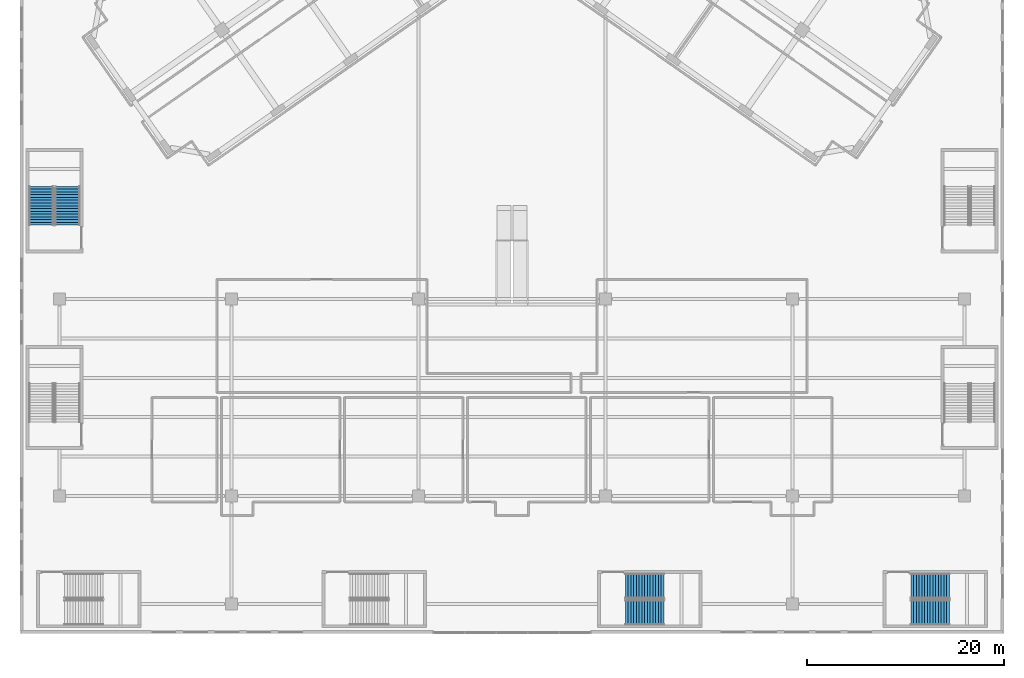
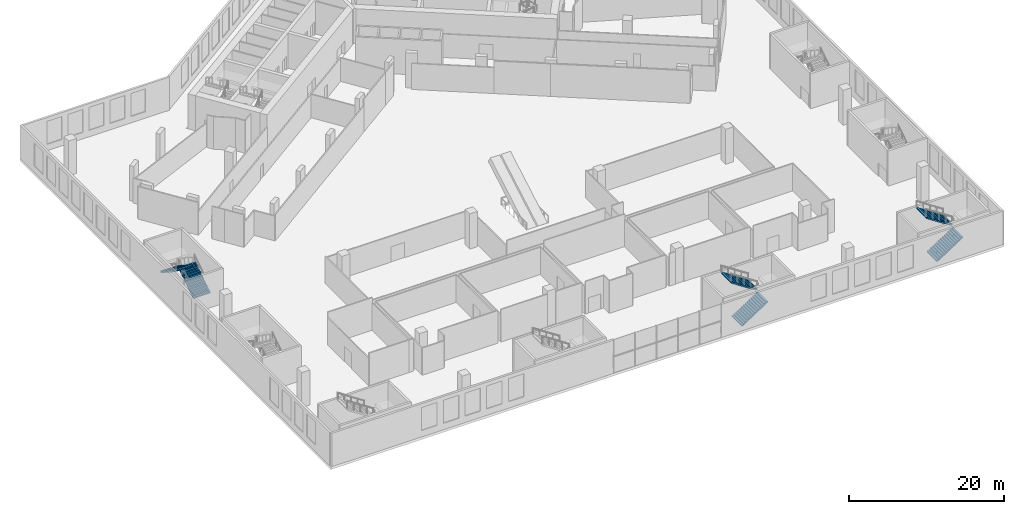
# One storey, part 14 of 26: 6 stair flights, 3 elements without a shape of their own.
"""IFC4 building model written with IfcOpenShell, lengths in metres."""

from ifc_helpers import new_model, si_unit, direction, frame, origin, place, context, subcontext, project, spatial, polyline, outline, extrude, material, type_object, element, aggregate, save


model = new_model("IFC4")

# Units and contexts
model_context = context("Model", 3, precision=1e-05, world=origin(), true_north=direction((0.0, 1.0)))
body_context = subcontext(model_context, "Body", "Model", "MODEL_VIEW")
ifc_project = project(units=[si_unit("LENGTHUNIT", "METRE"), si_unit("AREAUNIT", "SQUARE_METRE"), si_unit("VOLUMEUNIT", "CUBIC_METRE"), si_unit("PLANEANGLEUNIT", "RADIAN"), si_unit("MASSUNIT", "GRAM", prefix="KILO")], contexts=[model_context])

# Site, building, storey
site_placement = place(None, origin())
site = spatial("IfcSite", under=ifc_project, at=site_placement, CompositionType="ELEMENT")
building_placement = place(site_placement, origin())
building = spatial("IfcBuilding", under=site, at=building_placement, Name="Tel Ilan Convention Tower", CompositionType="ELEMENT")
storey_placement = place(building_placement, frame((0.0, 0.0, 32.0)))
storey = spatial("IfcBuildingStorey", under=building, at=storey_placement, Name="L04", CompositionType="ELEMENT", Elevation=32.0)

# Stair, stair flights
ifc_material_1 = material(Name="Concrete C40/50", Category="concrete")
stair_type = type_object("IfcStairType", Name="Pressurised Exit Stair 30 risers 183 mm", PredefinedType="HALF_TURN_STAIR", material=ifc_material_1)
stair_1_placement = place(storey_placement, origin())
stair_1 = element("IfcStair", 1, at=stair_1_placement, inside=storey, type_object=stair_type, Name="L04 Podium Exit Stair P3", PredefinedType="HALF_TURN_STAIR")
ifc_material_2 = material(Name="Precast Concrete C40/50", Category="concrete")
stair_flight_type = type_object("IfcStairFlightType", Name="Concrete Stair Flight 2525 mm 30 risers 183 mm", PredefinedType="STRAIGHT", material=ifc_material_2)
stair_flight_1_placement = place(storey_placement, frame((11.52490234375, -79.83740234375, 0.0), z_axis=(0.0, 0.0, 1.0), x_axis=(1.0, 0.0, 0.0)))
stair_flight_1 = element("IfcStairFlight", 2, at=stair_flight_1_placement, type_object=stair_flight_type, Name="P3 flight 1", NumberOfRisers=15, NumberOfTreads=14, PredefinedType="STRAIGHT", RiserHeight=0.183333333, TreadLength=0.28, context=body_context, shape_type="SweptSolid", body=[
    extrude(outline(polyline([(0.0, 0.0), (0.0, 0.183349609375), (0.280029296875, 0.183349609375), (0.280029296875, 0.36669921875), (0.56005859375, 0.36669921875), (0.56005859375, 0.550048828125), (0.840087890625, 0.550048828125), (0.840087890625, 0.7333984375), (1.1201171875, 0.7333984375), (1.1201171875, 0.916748046875), (1.39990234375, 0.916748046875), (1.39990234375, 1.10009765625), (1.679931640625, 1.10009765625), (1.679931640625, 1.283447265625), (1.9599609375, 1.283447265625), (1.9599609375, 1.466552734375), (2.239990234375, 1.466552734375), (2.239990234375, 1.64990234375), (2.52001953125, 1.64990234375), (2.52001953125, 1.833251953125), (2.800048828125, 1.833251953125), (2.800048828125, 2.0166015625), (3.080078125, 2.0166015625), (3.080078125, 2.199951171875), (3.360107421875, 2.199951171875), (3.360107421875, 2.38330078125), (3.639892578125, 2.38330078125), (3.639892578125, 2.566650390625), (3.919921875, 2.566650390625), (3.919921875, 2.75), (3.919921875, 2.387451171875), (0.273681640625, 0.0), (0.0, 0.0)])), frame((0.0, -0.100341796875, 0.0), z_axis=(0.0, -1.0, 0.0), x_axis=(1.0, 0.0, 0.0)), (0.0, 0.0, 1.0), 1.162109375),
    extrude(outline(polyline([(0.0, 0.0), (0.0, 0.183349609375), (0.280029296875, 0.183349609375), (0.280029296875, 0.36669921875), (0.56005859375, 0.36669921875), (0.56005859375, 0.550048828125), (0.840087890625, 0.550048828125), (0.840087890625, 0.7333984375), (1.1201171875, 0.7333984375), (1.1201171875, 0.916748046875), (1.39990234375, 0.916748046875), (1.39990234375, 1.10009765625), (1.679931640625, 1.10009765625), (1.679931640625, 1.283447265625), (1.9599609375, 1.283447265625), (1.9599609375, 1.466552734375), (2.239990234375, 1.466552734375), (2.239990234375, 1.64990234375), (2.52001953125, 1.64990234375), (2.52001953125, 1.833251953125), (2.800048828125, 1.833251953125), (2.800048828125, 2.0166015625), (3.080078125, 2.0166015625), (3.080078125, 2.199951171875), (3.360107421875, 2.199951171875), (3.360107421875, 2.38330078125), (3.639892578125, 2.38330078125), (3.639892578125, 2.566650390625), (3.919921875, 2.566650390625), (3.919921875, 2.75), (3.919921875, 2.387451171875), (0.273681640625, 0.0), (0.0, 0.0)])), frame((0.0, -0.000244140625, 0.0), z_axis=(0.0, -1.0, 0.0), x_axis=(1.0, 0.0, 0.0)), (0.0, 0.0, 1.0), 0.099609375),
    extrude(outline(polyline([(0.0, 0.0), (0.0, 0.183349609375), (0.280029296875, 0.183349609375), (0.280029296875, 0.36669921875), (0.56005859375, 0.36669921875), (0.56005859375, 0.550048828125), (0.840087890625, 0.550048828125), (0.840087890625, 0.7333984375), (1.1201171875, 0.7333984375), (1.1201171875, 0.916748046875), (1.39990234375, 0.916748046875), (1.39990234375, 1.10009765625), (1.679931640625, 1.10009765625), (1.679931640625, 1.283447265625), (1.9599609375, 1.283447265625), (1.9599609375, 1.466552734375), (2.239990234375, 1.466552734375), (2.239990234375, 1.64990234375), (2.52001953125, 1.64990234375), (2.52001953125, 1.833251953125), (2.800048828125, 1.833251953125), (2.800048828125, 2.0166015625), (3.080078125, 2.0166015625), (3.080078125, 2.199951171875), (3.360107421875, 2.199951171875), (3.360107421875, 2.38330078125), (3.639892578125, 2.38330078125), (3.639892578125, 2.566650390625), (3.919921875, 2.566650390625), (3.919921875, 2.75), (3.919921875, 2.387451171875), (0.273681640625, 0.0), (0.0, 0.0)])), frame((0.0, 0.099853515625, 0.0), z_axis=(0.0, -1.0, 0.0), x_axis=(1.0, 0.0, 0.0)), (0.0, 0.0, 1.0), 0.099609375),
    extrude(outline(polyline([(0.0, 0.0), (0.0, 0.183349609375), (0.280029296875, 0.183349609375), (0.280029296875, 0.36669921875), (0.56005859375, 0.36669921875), (0.56005859375, 0.550048828125), (0.840087890625, 0.550048828125), (0.840087890625, 0.7333984375), (1.1201171875, 0.7333984375), (1.1201171875, 0.916748046875), (1.39990234375, 0.916748046875), (1.39990234375, 1.10009765625), (1.679931640625, 1.10009765625), (1.679931640625, 1.283447265625), (1.9599609375, 1.283447265625), (1.9599609375, 1.466552734375), (2.239990234375, 1.466552734375), (2.239990234375, 1.64990234375), (2.52001953125, 1.64990234375), (2.52001953125, 1.833251953125), (2.800048828125, 1.833251953125), (2.800048828125, 2.0166015625), (3.080078125, 2.0166015625), (3.080078125, 2.199951171875), (3.360107421875, 2.199951171875), (3.360107421875, 2.38330078125), (3.639892578125, 2.38330078125), (3.639892578125, 2.566650390625), (3.919921875, 2.566650390625), (3.919921875, 2.75), (3.919921875, 2.387451171875), (0.273681640625, 0.0), (0.0, 0.0)])), frame((0.0, 1.262451171875, 0.0), z_axis=(0.0, -1.0, 0.0), x_axis=(1.0, 0.0, 0.0)), (0.0, 0.0, 1.0), 1.162109375),
])
stair_flight_2_placement = place(storey_placement, frame((15.445068359375, -77.16259765625, 2.75), z_axis=(0.0, 0.0, 1.0), x_axis=(-1.0, 0.0, 0.0)))
stair_flight_2 = element("IfcStairFlight", 3, at=stair_flight_2_placement, type_object=stair_flight_type, Name="P3 flight 2", NumberOfRisers=15, NumberOfTreads=14, PredefinedType="STRAIGHT", RiserHeight=0.183333333, TreadLength=0.28, context=body_context, shape_type="SweptSolid", body=[
    extrude(outline(polyline([(0.0, 0.0), (0.0, 0.183349609375), (0.280029296875, 0.183349609375), (0.280029296875, 0.36669921875), (0.56005859375, 0.36669921875), (0.56005859375, 0.550048828125), (0.840087890625, 0.550048828125), (0.840087890625, 0.7333984375), (1.1201171875, 0.7333984375), (1.1201171875, 0.916748046875), (1.39990234375, 0.916748046875), (1.39990234375, 1.10009765625), (1.679931640625, 1.10009765625), (1.679931640625, 1.283447265625), (1.9599609375, 1.283447265625), (1.9599609375, 1.466552734375), (2.239990234375, 1.466552734375), (2.239990234375, 1.64990234375), (2.52001953125, 1.64990234375), (2.52001953125, 1.833251953125), (2.800048828125, 1.833251953125), (2.800048828125, 2.0166015625), (3.080078125, 2.0166015625), (3.080078125, 2.199951171875), (3.360107421875, 2.199951171875), (3.360107421875, 2.38330078125), (3.639892578125, 2.38330078125), (3.639892578125, 2.566650390625), (3.919921875, 2.566650390625), (3.919921875, 2.75), (3.919921875, 2.387451171875), (0.273681640625, 0.0), (0.0, 0.0)])), frame((0.0, -0.100341796875, 0.0), z_axis=(0.0, -1.0, 0.0), x_axis=(1.0, 0.0, 0.0)), (0.0, 0.0, 1.0), 1.162109375),
    extrude(outline(polyline([(0.0, 0.0), (0.0, 0.183349609375), (0.280029296875, 0.183349609375), (0.280029296875, 0.36669921875), (0.56005859375, 0.36669921875), (0.56005859375, 0.550048828125), (0.840087890625, 0.550048828125), (0.840087890625, 0.7333984375), (1.1201171875, 0.7333984375), (1.1201171875, 0.916748046875), (1.39990234375, 0.916748046875), (1.39990234375, 1.10009765625), (1.679931640625, 1.10009765625), (1.679931640625, 1.283447265625), (1.9599609375, 1.283447265625), (1.9599609375, 1.466552734375), (2.239990234375, 1.466552734375), (2.239990234375, 1.64990234375), (2.52001953125, 1.64990234375), (2.52001953125, 1.833251953125), (2.800048828125, 1.833251953125), (2.800048828125, 2.0166015625), (3.080078125, 2.0166015625), (3.080078125, 2.199951171875), (3.360107421875, 2.199951171875), (3.360107421875, 2.38330078125), (3.639892578125, 2.38330078125), (3.639892578125, 2.566650390625), (3.919921875, 2.566650390625), (3.919921875, 2.75), (3.919921875, 2.387451171875), (0.273681640625, 0.0), (0.0, 0.0)])), frame((0.0, -0.000244140625, 0.0), z_axis=(0.0, -1.0, 0.0), x_axis=(1.0, 0.0, 0.0)), (0.0, 0.0, 1.0), 0.099609375),
    extrude(outline(polyline([(0.0, 0.0), (0.0, 0.183349609375), (0.280029296875, 0.183349609375), (0.280029296875, 0.36669921875), (0.56005859375, 0.36669921875), (0.56005859375, 0.550048828125), (0.840087890625, 0.550048828125), (0.840087890625, 0.7333984375), (1.1201171875, 0.7333984375), (1.1201171875, 0.916748046875), (1.39990234375, 0.916748046875), (1.39990234375, 1.10009765625), (1.679931640625, 1.10009765625), (1.679931640625, 1.283447265625), (1.9599609375, 1.283447265625), (1.9599609375, 1.466552734375), (2.239990234375, 1.466552734375), (2.239990234375, 1.64990234375), (2.52001953125, 1.64990234375), (2.52001953125, 1.833251953125), (2.800048828125, 1.833251953125), (2.800048828125, 2.0166015625), (3.080078125, 2.0166015625), (3.080078125, 2.199951171875), (3.360107421875, 2.199951171875), (3.360107421875, 2.38330078125), (3.639892578125, 2.38330078125), (3.639892578125, 2.566650390625), (3.919921875, 2.566650390625), (3.919921875, 2.75), (3.919921875, 2.387451171875), (0.273681640625, 0.0), (0.0, 0.0)])), frame((0.0, 0.099853515625, 0.0), z_axis=(0.0, -1.0, 0.0), x_axis=(1.0, 0.0, 0.0)), (0.0, 0.0, 1.0), 0.099609375),
    extrude(outline(polyline([(0.0, 0.0), (0.0, 0.183349609375), (0.280029296875, 0.183349609375), (0.280029296875, 0.36669921875), (0.56005859375, 0.36669921875), (0.56005859375, 0.550048828125), (0.840087890625, 0.550048828125), (0.840087890625, 0.7333984375), (1.1201171875, 0.7333984375), (1.1201171875, 0.916748046875), (1.39990234375, 0.916748046875), (1.39990234375, 1.10009765625), (1.679931640625, 1.10009765625), (1.679931640625, 1.283447265625), (1.9599609375, 1.283447265625), (1.9599609375, 1.466552734375), (2.239990234375, 1.466552734375), (2.239990234375, 1.64990234375), (2.52001953125, 1.64990234375), (2.52001953125, 1.833251953125), (2.800048828125, 1.833251953125), (2.800048828125, 2.0166015625), (3.080078125, 2.0166015625), (3.080078125, 2.199951171875), (3.360107421875, 2.199951171875), (3.360107421875, 2.38330078125), (3.639892578125, 2.38330078125), (3.639892578125, 2.566650390625), (3.919921875, 2.566650390625), (3.919921875, 2.75), (3.919921875, 2.387451171875), (0.273681640625, 0.0), (0.0, 0.0)])), frame((0.0, 1.262451171875, 0.0), z_axis=(0.0, -1.0, 0.0), x_axis=(1.0, 0.0, 0.0)), (0.0, 0.0, 1.0), 1.162109375),
])
aggregate(stair_1, [stair_flight_1, stair_flight_2])

stair_2_placement = place(storey_placement, origin())
stair_2 = element("IfcStair", 4, at=stair_2_placement, inside=storey, type_object=stair_type, Name="L04 Podium Exit Stair P4", PredefinedType="HALF_TURN_STAIR")
stair_flight_3_placement = place(storey_placement, frame((40.52490234375, -79.83740234375, 0.0), z_axis=(0.0, 0.0, 1.0), x_axis=(1.0, 0.0, 0.0)))
stair_flight_3 = element("IfcStairFlight", 5, at=stair_flight_3_placement, type_object=stair_flight_type, Name="P4 flight 1", NumberOfRisers=15, NumberOfTreads=14, PredefinedType="STRAIGHT", RiserHeight=0.183333333, TreadLength=0.28, context=body_context, shape_type="SweptSolid", body=[
    extrude(outline(polyline([(0.0, 0.0), (0.0, 0.183349609375), (0.280029296875, 0.183349609375), (0.280029296875, 0.36669921875), (0.56005859375, 0.36669921875), (0.56005859375, 0.550048828125), (0.840087890625, 0.550048828125), (0.840087890625, 0.7333984375), (1.1201171875, 0.7333984375), (1.1201171875, 0.916748046875), (1.39990234375, 0.916748046875), (1.39990234375, 1.10009765625), (1.679931640625, 1.10009765625), (1.679931640625, 1.283447265625), (1.9599609375, 1.283447265625), (1.9599609375, 1.466552734375), (2.239990234375, 1.466552734375), (2.239990234375, 1.64990234375), (2.52001953125, 1.64990234375), (2.52001953125, 1.833251953125), (2.800048828125, 1.833251953125), (2.800048828125, 2.0166015625), (3.080078125, 2.0166015625), (3.080078125, 2.199951171875), (3.360107421875, 2.199951171875), (3.360107421875, 2.38330078125), (3.639892578125, 2.38330078125), (3.639892578125, 2.566650390625), (3.919921875, 2.566650390625), (3.919921875, 2.75), (3.919921875, 2.387451171875), (0.273681640625, 0.0), (0.0, 0.0)])), frame((0.0, -0.100341796875, 0.0), z_axis=(0.0, -1.0, 0.0), x_axis=(1.0, 0.0, 0.0)), (0.0, 0.0, 1.0), 1.162109375),
    extrude(outline(polyline([(0.0, 0.0), (0.0, 0.183349609375), (0.280029296875, 0.183349609375), (0.280029296875, 0.36669921875), (0.56005859375, 0.36669921875), (0.56005859375, 0.550048828125), (0.840087890625, 0.550048828125), (0.840087890625, 0.7333984375), (1.1201171875, 0.7333984375), (1.1201171875, 0.916748046875), (1.39990234375, 0.916748046875), (1.39990234375, 1.10009765625), (1.679931640625, 1.10009765625), (1.679931640625, 1.283447265625), (1.9599609375, 1.283447265625), (1.9599609375, 1.466552734375), (2.239990234375, 1.466552734375), (2.239990234375, 1.64990234375), (2.52001953125, 1.64990234375), (2.52001953125, 1.833251953125), (2.800048828125, 1.833251953125), (2.800048828125, 2.0166015625), (3.080078125, 2.0166015625), (3.080078125, 2.199951171875), (3.360107421875, 2.199951171875), (3.360107421875, 2.38330078125), (3.639892578125, 2.38330078125), (3.639892578125, 2.566650390625), (3.919921875, 2.566650390625), (3.919921875, 2.75), (3.919921875, 2.387451171875), (0.273681640625, 0.0), (0.0, 0.0)])), frame((0.0, -0.000244140625, 0.0), z_axis=(0.0, -1.0, 0.0), x_axis=(1.0, 0.0, 0.0)), (0.0, 0.0, 1.0), 0.099609375),
    extrude(outline(polyline([(0.0, 0.0), (0.0, 0.183349609375), (0.280029296875, 0.183349609375), (0.280029296875, 0.36669921875), (0.56005859375, 0.36669921875), (0.56005859375, 0.550048828125), (0.840087890625, 0.550048828125), (0.840087890625, 0.7333984375), (1.1201171875, 0.7333984375), (1.1201171875, 0.916748046875), (1.39990234375, 0.916748046875), (1.39990234375, 1.10009765625), (1.679931640625, 1.10009765625), (1.679931640625, 1.283447265625), (1.9599609375, 1.283447265625), (1.9599609375, 1.466552734375), (2.239990234375, 1.466552734375), (2.239990234375, 1.64990234375), (2.52001953125, 1.64990234375), (2.52001953125, 1.833251953125), (2.800048828125, 1.833251953125), (2.800048828125, 2.0166015625), (3.080078125, 2.0166015625), (3.080078125, 2.199951171875), (3.360107421875, 2.199951171875), (3.360107421875, 2.38330078125), (3.639892578125, 2.38330078125), (3.639892578125, 2.566650390625), (3.919921875, 2.566650390625), (3.919921875, 2.75), (3.919921875, 2.387451171875), (0.273681640625, 0.0), (0.0, 0.0)])), frame((0.0, 0.099853515625, 0.0), z_axis=(0.0, -1.0, 0.0), x_axis=(1.0, 0.0, 0.0)), (0.0, 0.0, 1.0), 0.099609375),
    extrude(outline(polyline([(0.0, 0.0), (0.0, 0.183349609375), (0.280029296875, 0.183349609375), (0.280029296875, 0.36669921875), (0.56005859375, 0.36669921875), (0.56005859375, 0.550048828125), (0.840087890625, 0.550048828125), (0.840087890625, 0.7333984375), (1.1201171875, 0.7333984375), (1.1201171875, 0.916748046875), (1.39990234375, 0.916748046875), (1.39990234375, 1.10009765625), (1.679931640625, 1.10009765625), (1.679931640625, 1.283447265625), (1.9599609375, 1.283447265625), (1.9599609375, 1.466552734375), (2.239990234375, 1.466552734375), (2.239990234375, 1.64990234375), (2.52001953125, 1.64990234375), (2.52001953125, 1.833251953125), (2.800048828125, 1.833251953125), (2.800048828125, 2.0166015625), (3.080078125, 2.0166015625), (3.080078125, 2.199951171875), (3.360107421875, 2.199951171875), (3.360107421875, 2.38330078125), (3.639892578125, 2.38330078125), (3.639892578125, 2.566650390625), (3.919921875, 2.566650390625), (3.919921875, 2.75), (3.919921875, 2.387451171875), (0.273681640625, 0.0), (0.0, 0.0)])), frame((0.0, 1.262451171875, 0.0), z_axis=(0.0, -1.0, 0.0), x_axis=(1.0, 0.0, 0.0)), (0.0, 0.0, 1.0), 1.162109375),
])
stair_flight_4_placement = place(storey_placement, frame((44.445068359375, -77.16259765625, 2.75), z_axis=(0.0, 0.0, 1.0), x_axis=(-1.0, 0.0, 0.0)))
stair_flight_4 = element("IfcStairFlight", 6, at=stair_flight_4_placement, type_object=stair_flight_type, Name="P4 flight 2", NumberOfRisers=15, NumberOfTreads=14, PredefinedType="STRAIGHT", RiserHeight=0.183333333, TreadLength=0.28, context=body_context, shape_type="SweptSolid", body=[
    extrude(outline(polyline([(0.0, 0.0), (0.0, 0.183349609375), (0.280029296875, 0.183349609375), (0.280029296875, 0.36669921875), (0.56005859375, 0.36669921875), (0.56005859375, 0.550048828125), (0.840087890625, 0.550048828125), (0.840087890625, 0.7333984375), (1.1201171875, 0.7333984375), (1.1201171875, 0.916748046875), (1.39990234375, 0.916748046875), (1.39990234375, 1.10009765625), (1.679931640625, 1.10009765625), (1.679931640625, 1.283447265625), (1.9599609375, 1.283447265625), (1.9599609375, 1.466552734375), (2.239990234375, 1.466552734375), (2.239990234375, 1.64990234375), (2.52001953125, 1.64990234375), (2.52001953125, 1.833251953125), (2.800048828125, 1.833251953125), (2.800048828125, 2.0166015625), (3.080078125, 2.0166015625), (3.080078125, 2.199951171875), (3.360107421875, 2.199951171875), (3.360107421875, 2.38330078125), (3.639892578125, 2.38330078125), (3.639892578125, 2.566650390625), (3.919921875, 2.566650390625), (3.919921875, 2.75), (3.919921875, 2.387451171875), (0.273681640625, 0.0), (0.0, 0.0)])), frame((0.0, -0.100341796875, 0.0), z_axis=(0.0, -1.0, 0.0), x_axis=(1.0, 0.0, 0.0)), (0.0, 0.0, 1.0), 1.162109375),
    extrude(outline(polyline([(0.0, 0.0), (0.0, 0.183349609375), (0.280029296875, 0.183349609375), (0.280029296875, 0.36669921875), (0.56005859375, 0.36669921875), (0.56005859375, 0.550048828125), (0.840087890625, 0.550048828125), (0.840087890625, 0.7333984375), (1.1201171875, 0.7333984375), (1.1201171875, 0.916748046875), (1.39990234375, 0.916748046875), (1.39990234375, 1.10009765625), (1.679931640625, 1.10009765625), (1.679931640625, 1.283447265625), (1.9599609375, 1.283447265625), (1.9599609375, 1.466552734375), (2.239990234375, 1.466552734375), (2.239990234375, 1.64990234375), (2.52001953125, 1.64990234375), (2.52001953125, 1.833251953125), (2.800048828125, 1.833251953125), (2.800048828125, 2.0166015625), (3.080078125, 2.0166015625), (3.080078125, 2.199951171875), (3.360107421875, 2.199951171875), (3.360107421875, 2.38330078125), (3.639892578125, 2.38330078125), (3.639892578125, 2.566650390625), (3.919921875, 2.566650390625), (3.919921875, 2.75), (3.919921875, 2.387451171875), (0.273681640625, 0.0), (0.0, 0.0)])), frame((0.0, -0.000244140625, 0.0), z_axis=(0.0, -1.0, 0.0), x_axis=(1.0, 0.0, 0.0)), (0.0, 0.0, 1.0), 0.099609375),
    extrude(outline(polyline([(0.0, 0.0), (0.0, 0.183349609375), (0.280029296875, 0.183349609375), (0.280029296875, 0.36669921875), (0.56005859375, 0.36669921875), (0.56005859375, 0.550048828125), (0.840087890625, 0.550048828125), (0.840087890625, 0.7333984375), (1.1201171875, 0.7333984375), (1.1201171875, 0.916748046875), (1.39990234375, 0.916748046875), (1.39990234375, 1.10009765625), (1.679931640625, 1.10009765625), (1.679931640625, 1.283447265625), (1.9599609375, 1.283447265625), (1.9599609375, 1.466552734375), (2.239990234375, 1.466552734375), (2.239990234375, 1.64990234375), (2.52001953125, 1.64990234375), (2.52001953125, 1.833251953125), (2.800048828125, 1.833251953125), (2.800048828125, 2.0166015625), (3.080078125, 2.0166015625), (3.080078125, 2.199951171875), (3.360107421875, 2.199951171875), (3.360107421875, 2.38330078125), (3.639892578125, 2.38330078125), (3.639892578125, 2.566650390625), (3.919921875, 2.566650390625), (3.919921875, 2.75), (3.919921875, 2.387451171875), (0.273681640625, 0.0), (0.0, 0.0)])), frame((0.0, 0.099853515625, 0.0), z_axis=(0.0, -1.0, 0.0), x_axis=(1.0, 0.0, 0.0)), (0.0, 0.0, 1.0), 0.099609375),
    extrude(outline(polyline([(0.0, 0.0), (0.0, 0.183349609375), (0.280029296875, 0.183349609375), (0.280029296875, 0.36669921875), (0.56005859375, 0.36669921875), (0.56005859375, 0.550048828125), (0.840087890625, 0.550048828125), (0.840087890625, 0.7333984375), (1.1201171875, 0.7333984375), (1.1201171875, 0.916748046875), (1.39990234375, 0.916748046875), (1.39990234375, 1.10009765625), (1.679931640625, 1.10009765625), (1.679931640625, 1.283447265625), (1.9599609375, 1.283447265625), (1.9599609375, 1.466552734375), (2.239990234375, 1.466552734375), (2.239990234375, 1.64990234375), (2.52001953125, 1.64990234375), (2.52001953125, 1.833251953125), (2.800048828125, 1.833251953125), (2.800048828125, 2.0166015625), (3.080078125, 2.0166015625), (3.080078125, 2.199951171875), (3.360107421875, 2.199951171875), (3.360107421875, 2.38330078125), (3.639892578125, 2.38330078125), (3.639892578125, 2.566650390625), (3.919921875, 2.566650390625), (3.919921875, 2.75), (3.919921875, 2.387451171875), (0.273681640625, 0.0), (0.0, 0.0)])), frame((0.0, 1.262451171875, 0.0), z_axis=(0.0, -1.0, 0.0), x_axis=(1.0, 0.0, 0.0)), (0.0, 0.0, 1.0), 1.162109375),
])
aggregate(stair_2, [stair_flight_3, stair_flight_4])

stair_3_placement = place(storey_placement, origin())
stair_3 = element("IfcStair", 7, at=stair_3_placement, inside=storey, type_object=stair_type, Name="L04 Podium Exit Stair P7", PredefinedType="HALF_TURN_STAIR")
stair_flight_5_placement = place(storey_placement, frame((-45.16259765625, -40.47509765625, 0.0), z_axis=(0.0, 0.0, 1.0), x_axis=(0.0, 1.0, 0.0)))
stair_flight_5 = element("IfcStairFlight", 8, at=stair_flight_5_placement, type_object=stair_flight_type, Name="P7 flight 1", NumberOfRisers=15, NumberOfTreads=14, PredefinedType="STRAIGHT", RiserHeight=0.183333333, TreadLength=0.28, context=body_context, shape_type="SweptSolid", body=[
    extrude(outline(polyline([(0.0, 0.0), (0.0, 0.183349609375), (0.280029296875, 0.183349609375), (0.280029296875, 0.36669921875), (0.56005859375, 0.36669921875), (0.56005859375, 0.550048828125), (0.840087890625, 0.550048828125), (0.840087890625, 0.7333984375), (1.1201171875, 0.7333984375), (1.1201171875, 0.916748046875), (1.39990234375, 0.916748046875), (1.39990234375, 1.10009765625), (1.679931640625, 1.10009765625), (1.679931640625, 1.283447265625), (1.9599609375, 1.283447265625), (1.9599609375, 1.466552734375), (2.239990234375, 1.466552734375), (2.239990234375, 1.64990234375), (2.52001953125, 1.64990234375), (2.52001953125, 1.833251953125), (2.800048828125, 1.833251953125), (2.800048828125, 2.0166015625), (3.080078125, 2.0166015625), (3.080078125, 2.199951171875), (3.360107421875, 2.199951171875), (3.360107421875, 2.38330078125), (3.639892578125, 2.38330078125), (3.639892578125, 2.566650390625), (3.919921875, 2.566650390625), (3.919921875, 2.75), (3.919921875, 2.387451171875), (0.273681640625, 0.0), (0.0, 0.0)])), frame((0.0, -0.100341796875, 0.0), z_axis=(0.0, -1.0, 0.0), x_axis=(1.0, 0.0, 0.0)), (0.0, 0.0, 1.0), 1.162109375),
    extrude(outline(polyline([(0.0, 0.0), (0.0, 0.183349609375), (0.280029296875, 0.183349609375), (0.280029296875, 0.36669921875), (0.56005859375, 0.36669921875), (0.56005859375, 0.550048828125), (0.840087890625, 0.550048828125), (0.840087890625, 0.7333984375), (1.1201171875, 0.7333984375), (1.1201171875, 0.916748046875), (1.39990234375, 0.916748046875), (1.39990234375, 1.10009765625), (1.679931640625, 1.10009765625), (1.679931640625, 1.283447265625), (1.9599609375, 1.283447265625), (1.9599609375, 1.466552734375), (2.239990234375, 1.466552734375), (2.239990234375, 1.64990234375), (2.52001953125, 1.64990234375), (2.52001953125, 1.833251953125), (2.800048828125, 1.833251953125), (2.800048828125, 2.0166015625), (3.080078125, 2.0166015625), (3.080078125, 2.199951171875), (3.360107421875, 2.199951171875), (3.360107421875, 2.38330078125), (3.639892578125, 2.38330078125), (3.639892578125, 2.566650390625), (3.919921875, 2.566650390625), (3.919921875, 2.75), (3.919921875, 2.387451171875), (0.273681640625, 0.0), (0.0, 0.0)])), frame((0.0, -0.000244140625, 0.0), z_axis=(0.0, -1.0, 0.0), x_axis=(1.0, 0.0, 0.0)), (0.0, 0.0, 1.0), 0.099609375),
    extrude(outline(polyline([(0.0, 0.0), (0.0, 0.183349609375), (0.280029296875, 0.183349609375), (0.280029296875, 0.36669921875), (0.56005859375, 0.36669921875), (0.56005859375, 0.550048828125), (0.840087890625, 0.550048828125), (0.840087890625, 0.7333984375), (1.1201171875, 0.7333984375), (1.1201171875, 0.916748046875), (1.39990234375, 0.916748046875), (1.39990234375, 1.10009765625), (1.679931640625, 1.10009765625), (1.679931640625, 1.283447265625), (1.9599609375, 1.283447265625), (1.9599609375, 1.466552734375), (2.239990234375, 1.466552734375), (2.239990234375, 1.64990234375), (2.52001953125, 1.64990234375), (2.52001953125, 1.833251953125), (2.800048828125, 1.833251953125), (2.800048828125, 2.0166015625), (3.080078125, 2.0166015625), (3.080078125, 2.199951171875), (3.360107421875, 2.199951171875), (3.360107421875, 2.38330078125), (3.639892578125, 2.38330078125), (3.639892578125, 2.566650390625), (3.919921875, 2.566650390625), (3.919921875, 2.75), (3.919921875, 2.387451171875), (0.273681640625, 0.0), (0.0, 0.0)])), frame((0.0, 0.099853515625, 0.0), z_axis=(0.0, -1.0, 0.0), x_axis=(1.0, 0.0, 0.0)), (0.0, 0.0, 1.0), 0.099609375),
    extrude(outline(polyline([(0.0, 0.0), (0.0, 0.183349609375), (0.280029296875, 0.183349609375), (0.280029296875, 0.36669921875), (0.56005859375, 0.36669921875), (0.56005859375, 0.550048828125), (0.840087890625, 0.550048828125), (0.840087890625, 0.7333984375), (1.1201171875, 0.7333984375), (1.1201171875, 0.916748046875), (1.39990234375, 0.916748046875), (1.39990234375, 1.10009765625), (1.679931640625, 1.10009765625), (1.679931640625, 1.283447265625), (1.9599609375, 1.283447265625), (1.9599609375, 1.466552734375), (2.239990234375, 1.466552734375), (2.239990234375, 1.64990234375), (2.52001953125, 1.64990234375), (2.52001953125, 1.833251953125), (2.800048828125, 1.833251953125), (2.800048828125, 2.0166015625), (3.080078125, 2.0166015625), (3.080078125, 2.199951171875), (3.360107421875, 2.199951171875), (3.360107421875, 2.38330078125), (3.639892578125, 2.38330078125), (3.639892578125, 2.566650390625), (3.919921875, 2.566650390625), (3.919921875, 2.75), (3.919921875, 2.387451171875), (0.273681640625, 0.0), (0.0, 0.0)])), frame((0.0, 1.262451171875, 0.0), z_axis=(0.0, -1.0, 0.0), x_axis=(1.0, 0.0, 0.0)), (0.0, 0.0, 1.0), 1.162109375),
])
stair_flight_6_placement = place(storey_placement, frame((-47.83740234375, -36.554931640625, 2.75), z_axis=(0.0, 0.0, 1.0), x_axis=(0.0, -1.0, 0.0)))
stair_flight_6 = element("IfcStairFlight", 9, at=stair_flight_6_placement, type_object=stair_flight_type, Name="P7 flight 2", NumberOfRisers=15, NumberOfTreads=14, PredefinedType="STRAIGHT", RiserHeight=0.183333333, TreadLength=0.28, context=body_context, shape_type="SweptSolid", body=[
    extrude(outline(polyline([(0.0, 0.0), (0.0, 0.183349609375), (0.280029296875, 0.183349609375), (0.280029296875, 0.36669921875), (0.56005859375, 0.36669921875), (0.56005859375, 0.550048828125), (0.840087890625, 0.550048828125), (0.840087890625, 0.7333984375), (1.1201171875, 0.7333984375), (1.1201171875, 0.916748046875), (1.39990234375, 0.916748046875), (1.39990234375, 1.10009765625), (1.679931640625, 1.10009765625), (1.679931640625, 1.283447265625), (1.9599609375, 1.283447265625), (1.9599609375, 1.466552734375), (2.239990234375, 1.466552734375), (2.239990234375, 1.64990234375), (2.52001953125, 1.64990234375), (2.52001953125, 1.833251953125), (2.800048828125, 1.833251953125), (2.800048828125, 2.0166015625), (3.080078125, 2.0166015625), (3.080078125, 2.199951171875), (3.360107421875, 2.199951171875), (3.360107421875, 2.38330078125), (3.639892578125, 2.38330078125), (3.639892578125, 2.566650390625), (3.919921875, 2.566650390625), (3.919921875, 2.75), (3.919921875, 2.387451171875), (0.273681640625, 0.0), (0.0, 0.0)])), frame((0.0, -0.100341796875, 0.0), z_axis=(0.0, -1.0, 0.0), x_axis=(1.0, 0.0, 0.0)), (0.0, 0.0, 1.0), 1.162109375),
    extrude(outline(polyline([(0.0, 0.0), (0.0, 0.183349609375), (0.280029296875, 0.183349609375), (0.280029296875, 0.36669921875), (0.56005859375, 0.36669921875), (0.56005859375, 0.550048828125), (0.840087890625, 0.550048828125), (0.840087890625, 0.7333984375), (1.1201171875, 0.7333984375), (1.1201171875, 0.916748046875), (1.39990234375, 0.916748046875), (1.39990234375, 1.10009765625), (1.679931640625, 1.10009765625), (1.679931640625, 1.283447265625), (1.9599609375, 1.283447265625), (1.9599609375, 1.466552734375), (2.239990234375, 1.466552734375), (2.239990234375, 1.64990234375), (2.52001953125, 1.64990234375), (2.52001953125, 1.833251953125), (2.800048828125, 1.833251953125), (2.800048828125, 2.0166015625), (3.080078125, 2.0166015625), (3.080078125, 2.199951171875), (3.360107421875, 2.199951171875), (3.360107421875, 2.38330078125), (3.639892578125, 2.38330078125), (3.639892578125, 2.566650390625), (3.919921875, 2.566650390625), (3.919921875, 2.75), (3.919921875, 2.387451171875), (0.273681640625, 0.0), (0.0, 0.0)])), frame((0.0, -0.000244140625, 0.0), z_axis=(0.0, -1.0, 0.0), x_axis=(1.0, 0.0, 0.0)), (0.0, 0.0, 1.0), 0.099609375),
    extrude(outline(polyline([(0.0, 0.0), (0.0, 0.183349609375), (0.280029296875, 0.183349609375), (0.280029296875, 0.36669921875), (0.56005859375, 0.36669921875), (0.56005859375, 0.550048828125), (0.840087890625, 0.550048828125), (0.840087890625, 0.7333984375), (1.1201171875, 0.7333984375), (1.1201171875, 0.916748046875), (1.39990234375, 0.916748046875), (1.39990234375, 1.10009765625), (1.679931640625, 1.10009765625), (1.679931640625, 1.283447265625), (1.9599609375, 1.283447265625), (1.9599609375, 1.466552734375), (2.239990234375, 1.466552734375), (2.239990234375, 1.64990234375), (2.52001953125, 1.64990234375), (2.52001953125, 1.833251953125), (2.800048828125, 1.833251953125), (2.800048828125, 2.0166015625), (3.080078125, 2.0166015625), (3.080078125, 2.199951171875), (3.360107421875, 2.199951171875), (3.360107421875, 2.38330078125), (3.639892578125, 2.38330078125), (3.639892578125, 2.566650390625), (3.919921875, 2.566650390625), (3.919921875, 2.75), (3.919921875, 2.387451171875), (0.273681640625, 0.0), (0.0, 0.0)])), frame((0.0, 0.099853515625, 0.0), z_axis=(0.0, -1.0, 0.0), x_axis=(1.0, 0.0, 0.0)), (0.0, 0.0, 1.0), 0.099609375),
    extrude(outline(polyline([(0.0, 0.0), (0.0, 0.183349609375), (0.280029296875, 0.183349609375), (0.280029296875, 0.36669921875), (0.56005859375, 0.36669921875), (0.56005859375, 0.550048828125), (0.840087890625, 0.550048828125), (0.840087890625, 0.7333984375), (1.1201171875, 0.7333984375), (1.1201171875, 0.916748046875), (1.39990234375, 0.916748046875), (1.39990234375, 1.10009765625), (1.679931640625, 1.10009765625), (1.679931640625, 1.283447265625), (1.9599609375, 1.283447265625), (1.9599609375, 1.466552734375), (2.239990234375, 1.466552734375), (2.239990234375, 1.64990234375), (2.52001953125, 1.64990234375), (2.52001953125, 1.833251953125), (2.800048828125, 1.833251953125), (2.800048828125, 2.0166015625), (3.080078125, 2.0166015625), (3.080078125, 2.199951171875), (3.360107421875, 2.199951171875), (3.360107421875, 2.38330078125), (3.639892578125, 2.38330078125), (3.639892578125, 2.566650390625), (3.919921875, 2.566650390625), (3.919921875, 2.75), (3.919921875, 2.387451171875), (0.273681640625, 0.0), (0.0, 0.0)])), frame((0.0, 1.262451171875, 0.0), z_axis=(0.0, -1.0, 0.0), x_axis=(1.0, 0.0, 0.0)), (0.0, 0.0, 1.0), 1.162109375),
])
aggregate(stair_3, [stair_flight_5, stair_flight_6])

save(model, "model.ifc")
